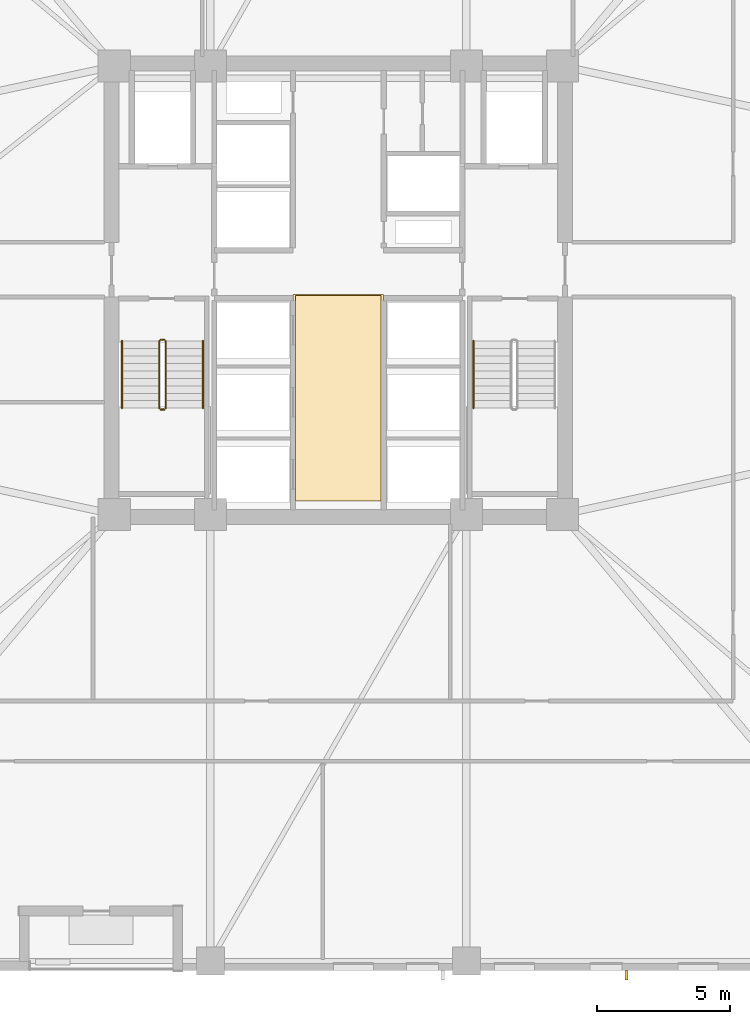
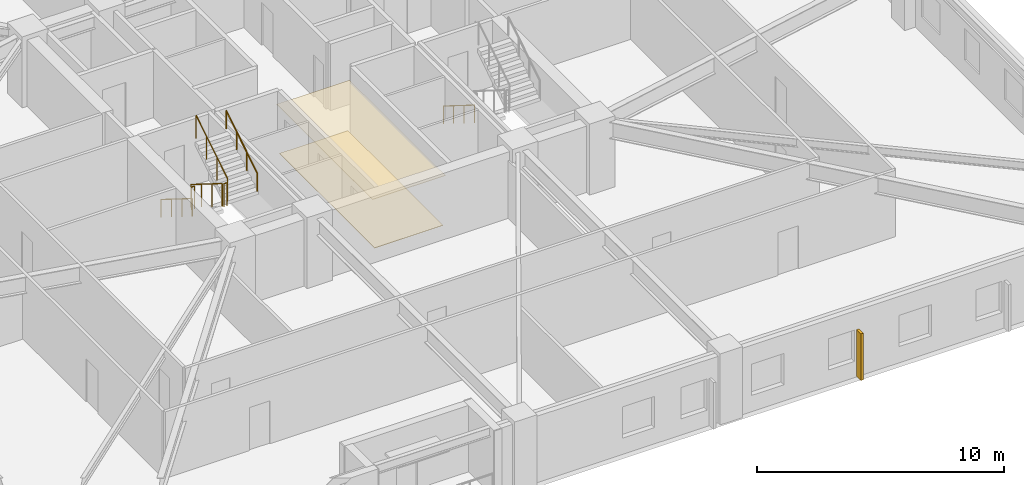
# One storey, part 7 of 10: 7 railings, 2 coverings, 1 shading device.
"""IFC4 building model written with IfcOpenShell, lengths in metres."""

from ifc_helpers import new_model, si_unit, direction, frame, origin, origin_2d, place, context, subcontext, project, spatial, polyline, rectangle, circle, outline, extrude, material, layer, layer_set, type_object, element, save


model = new_model("IFC4")

# Units and contexts
model_context = context("Model", 3, precision=1e-05, world=origin(), true_north=direction((0.0, 1.0)))
body_context = subcontext(model_context, "Body", "Model", "MODEL_VIEW")
ifc_project = project(units=[si_unit("LENGTHUNIT", "METRE"), si_unit("AREAUNIT", "SQUARE_METRE"), si_unit("VOLUMEUNIT", "CUBIC_METRE"), si_unit("PLANEANGLEUNIT", "RADIAN"), si_unit("MASSUNIT", "GRAM", prefix="KILO")], contexts=[model_context])

# Site, building, storey
site_placement = place(None, origin())
site = spatial("IfcSite", under=ifc_project, at=site_placement, CompositionType="ELEMENT")
building_placement = place(site_placement, origin())
building = spatial("IfcBuilding", under=site, at=building_placement, Name="Cairnveth Concourse Tower", CompositionType="ELEMENT")
storey_placement = place(building_placement, frame((0.0, 0.0, 27.0)))
storey = spatial("IfcBuildingStorey", under=building, at=storey_placement, Name="L06", CompositionType="ELEMENT", Elevation=27.0)

# Covering
ifc_material_1 = material(Name="Acoustic Mineral Fibre Ceiling", Category="gypsum")
ifc_layer_1 = layer(ifc_material_1, 0.02490234375)
ifc_layer_set_1 = layer_set([ifc_layer_1], Name="Acoustic Mineral Fibre Ceiling")
covering_type_1 = type_object("IfcCoveringType", Name="ACOUSTIC MINERAL FIBRE CEILING 25", PredefinedType="CEILING", material=ifc_layer_set_1)
covering_1_placement = place(storey_placement, frame((0.0, 0.0, 2.424072265625)))
element("IfcCovering", 1, at=covering_1_placement, inside=storey, type_object=covering_type_1, Name="Lift Lobby Acoustic Ceiling L06", PredefinedType="CEILING", context=body_context, shape_type="SweptSolid", body=[
    extrude(outline(polyline([(50.300048828125, 31.10009765625), (53.699951171875, 31.10009765625), (53.699951171875, 38.85009765625), (50.300048828125, 38.85009765625), (50.300048828125, 31.10009765625)])), origin(), (0.0, 0.0, 1.0), 0.02490234375),
])

# Shading device
ifc_material_2 = material(Name="Architectural Bronze Anodised Aluminium 6063-T6", Category="aluminium")
shading_device_type = type_object("IfcShadingDeviceType", Name="GOTHIC BRONZE VERTICAL LANCET FIN", PredefinedType="USERDEFINED", material=ifc_material_2)
shading_device_placement = place(storey_placement, frame((62.80078125, 13.324951171875, 0.02978515625), z_axis=(0.0, 0.0, 1.0), x_axis=(1.0, 0.0, 0.0)))
element("IfcShadingDevice", 2, at=shading_device_placement, inside=storey, type_object=shading_device_type, Name="Gothic Bronze Vertical Fin L06-12-3", ObjectType="VERTICAL FIN", PredefinedType="USERDEFINED", context=body_context, shape_type="SweptSolid", body=[
    extrude(rectangle(XDim=0.1201171875, YDim=0.360107421875, at=origin_2d()), origin(), (0.0, 0.0, 1.0), 2.303955078125),
])

# Railings
ifc_material_3 = material(Name="Steel Grade 350", Category="steel")
railing_type_1 = type_object("IfcRailingType", Name="STAIR GUARDRAIL 1150", PredefinedType="GUARDRAIL", material=ifc_material_3)
railing_1_placement = place(storey_placement, frame((45.2900390625, 37.10009765625, 0.175048828125)))
element("IfcRailing", 3, at=railing_1_placement, inside=storey, type_object=railing_type_1, Name="L06 ST-1 stair guard 1", PredefinedType="GUARDRAIL", context=body_context, shape_type="SweptSolid", body=[
    extrude(circle(Radius=0.02392578125, at=origin_2d()), frame((0.0, 0.0, 1.1259765625), z_axis=(0.0, -0.848007534815, 0.529984170421), x_axis=(1.0, 0.0, 0.0)), (0.0, 0.0, 1.0), 2.9716796875),
    extrude(circle(Radius=0.02099609375, at=origin_2d()), origin(), (0.0, 0.0, 1.0), 1.101806640625),
    extrude(circle(Radius=0.02099609375, at=origin_2d()), frame((0.0, -0.840087890625, 0.52490234375)), (0.0, 0.0, 1.0), 1.101806640625),
    extrude(circle(Radius=0.02099609375, at=origin_2d()), frame((0.0, -1.679931640625, 1.050048828125)), (0.0, 0.0, 1.0), 1.101806640625),
    extrude(circle(Radius=0.02099609375, at=origin_2d()), frame((0.0, -2.52001953125, 1.574951171875)), (0.0, 0.0, 1.0), 1.101806640625),
])
railing_2_placement = place(storey_placement, frame((45.340087890625, 34.530029296875, 1.75)))
element("IfcRailing", 4, at=railing_2_placement, inside=storey, type_object=railing_type_1, Name="L06 ST-1 stair guard 2", PredefinedType="GUARDRAIL", context=body_context, shape_type="SweptSolid", body=[
    extrude(circle(Radius=0.02392578125, at=origin_2d()), frame((0.0, 0.0, 1.1259765625), z_axis=(1.0, 0.0, 0.0), x_axis=(0.0, 1.0, 0.0)), (0.0, 0.0, 1.0), 0.139892578125),
    extrude(circle(Radius=0.02099609375, at=origin_2d()), origin(), (0.0, 0.0, 1.0), 1.101806640625),
    extrude(circle(Radius=0.02099609375, at=origin_2d()), frame((0.139892578125, 0.0, 0.0)), (0.0, 0.0, 1.0), 1.101806640625),
])
railing_3_placement = place(storey_placement, frame((45.530029296875, 34.580078125, 1.925048828125)))
element("IfcRailing", 5, at=railing_3_placement, inside=storey, type_object=railing_type_1, Name="L06 ST-1 stair guard 3", PredefinedType="GUARDRAIL", context=body_context, shape_type="SweptSolid", body=[
    extrude(circle(Radius=0.02392578125, at=origin_2d()), frame((0.0, 0.0, 1.1259765625), z_axis=(0.0, 0.848007534815, 0.529984170421), x_axis=(-1.0, 0.0, 0.0)), (0.0, 0.0, 1.0), 2.9716796875),
    extrude(circle(Radius=0.02099609375, at=origin_2d()), origin(), (0.0, 0.0, 1.0), 1.101806640625),
    extrude(circle(Radius=0.02099609375, at=origin_2d()), frame((0.0, 0.840087890625, 0.52490234375)), (0.0, 0.0, 1.0), 1.101806640625),
    extrude(circle(Radius=0.02099609375, at=origin_2d()), frame((0.0, 1.679931640625, 1.050048828125)), (0.0, 0.0, 1.0), 1.101806640625),
    extrude(circle(Radius=0.02099609375, at=origin_2d()), frame((0.0, 2.52001953125, 1.574951171875)), (0.0, 0.0, 1.0), 1.101806640625),
])
railing_4_placement = place(storey_placement, frame((45.340087890625, 37.14990234375, 0.0)))
element("IfcRailing", 6, at=railing_4_placement, inside=storey, type_object=railing_type_1, Name="L06 ST-1 stair guard 4", PredefinedType="GUARDRAIL", context=body_context, shape_type="SweptSolid", body=[
    extrude(circle(Radius=0.02392578125, at=origin_2d()), frame((0.0, 0.0, 1.1259765625), z_axis=(1.0, 0.0, 0.0), x_axis=(0.0, 1.0, 0.0)), (0.0, 0.0, 1.0), 0.139892578125),
    extrude(circle(Radius=0.02099609375, at=origin_2d()), origin(), (0.0, 0.0, 1.0), 1.101806640625),
    extrude(circle(Radius=0.02099609375, at=origin_2d()), frame((0.139892578125, 0.0, 0.0)), (0.0, 0.0, 1.0), 1.101806640625),
])
railing_type_2 = type_object("IfcRailingType", Name="STAIR WALL HANDRAIL 900", PredefinedType="HANDRAIL", material=ifc_material_3)
railing_5_placement = place(storey_placement, frame((43.889892578125, 37.10009765625, 0.175048828125)))
element("IfcRailing", 7, at=railing_5_placement, inside=storey, type_object=railing_type_2, Name="L06 ST-1 stair handrail 1", PredefinedType="HANDRAIL", context=body_context, shape_type="SweptSolid", body=[
    extrude(circle(Radius=0.02392578125, at=origin_2d()), frame((0.0, 0.0, 0.8759765625), z_axis=(0.0, -0.848007534815, 0.529984170421), x_axis=(1.0, 0.0, 0.0)), (0.0, 0.0, 1.0), 2.9716796875),
    extrude(circle(Radius=0.02099609375, at=origin_2d()), origin(), (0.0, 0.0, 1.0), 0.851806640625),
    extrude(circle(Radius=0.02099609375, at=origin_2d()), frame((0.0, -0.840087890625, 0.52490234375)), (0.0, 0.0, 1.0), 0.851806640625),
    extrude(circle(Radius=0.02099609375, at=origin_2d()), frame((0.0, -1.679931640625, 1.050048828125)), (0.0, 0.0, 1.0), 0.851806640625),
    extrude(circle(Radius=0.02099609375, at=origin_2d()), frame((0.0, -2.52001953125, 1.574951171875)), (0.0, 0.0, 1.0), 0.851806640625),
])
railing_6_placement = place(storey_placement, frame((46.929931640625, 34.580078125, 1.925048828125)))
element("IfcRailing", 8, at=railing_6_placement, inside=storey, type_object=railing_type_2, Name="L06 ST-1 stair handrail 2", PredefinedType="HANDRAIL", context=body_context, shape_type="SweptSolid", body=[
    extrude(circle(Radius=0.02392578125, at=origin_2d()), frame((0.0, 0.0, 0.8759765625), z_axis=(0.0, 0.848007534815, 0.529984170421), x_axis=(-1.0, 0.0, 0.0)), (0.0, 0.0, 1.0), 2.9716796875),
    extrude(circle(Radius=0.02099609375, at=origin_2d()), origin(), (0.0, 0.0, 1.0), 0.851806640625),
    extrude(circle(Radius=0.02099609375, at=origin_2d()), frame((0.0, 0.840087890625, 0.52490234375)), (0.0, 0.0, 1.0), 0.851806640625),
    extrude(circle(Radius=0.02099609375, at=origin_2d()), frame((0.0, 1.679931640625, 1.050048828125)), (0.0, 0.0, 1.0), 0.851806640625),
    extrude(circle(Radius=0.02099609375, at=origin_2d()), frame((0.0, 2.52001953125, 1.574951171875)), (0.0, 0.0, 1.0), 0.851806640625),
])
railing_7_placement = place(storey_placement, frame((57.070068359375, 37.10009765625, 0.175048828125)))
element("IfcRailing", 9, at=railing_7_placement, inside=storey, type_object=railing_type_2, Name="L06 ST-2 stair handrail 1", PredefinedType="HANDRAIL", context=body_context, shape_type="SweptSolid", body=[
    extrude(circle(Radius=0.02392578125, at=origin_2d()), frame((0.0, 0.0, 0.8759765625), z_axis=(0.0, -0.848007534815, 0.529984170421), x_axis=(1.0, 0.0, 0.0)), (0.0, 0.0, 1.0), 2.9716796875),
    extrude(circle(Radius=0.02099609375, at=origin_2d()), origin(), (0.0, 0.0, 1.0), 0.851806640625),
    extrude(circle(Radius=0.02099609375, at=origin_2d()), frame((0.0, -0.840087890625, 0.52490234375)), (0.0, 0.0, 1.0), 0.851806640625),
    extrude(circle(Radius=0.02099609375, at=origin_2d()), frame((0.0, -1.679931640625, 1.050048828125)), (0.0, 0.0, 1.0), 0.851806640625),
    extrude(circle(Radius=0.02099609375, at=origin_2d()), frame((0.0, -2.52001953125, 1.574951171875)), (0.0, 0.0, 1.0), 0.851806640625),
])

# Covering
ifc_material_4 = material(Name="Vitrified Stoneware Tile Flooring", Category="masonry")
ifc_layer_2 = layer(ifc_material_4, 0.02001953125)
ifc_layer_set_2 = layer_set([ifc_layer_2], Name="Vitrified Stoneware Tile Flooring")
covering_type_2 = type_object("IfcCoveringType", Name="VITRIFIED STONEWARE LOBBY FLOORING 20", PredefinedType="FLOORING", material=ifc_layer_set_2)
covering_2_placement = place(storey_placement, origin())
element("IfcCovering", 10, at=covering_2_placement, inside=storey, type_object=covering_type_2, Name="Lift Lobby Stoneware Flooring L06", PredefinedType="FLOORING", context=body_context, shape_type="SweptSolid", body=[
    extrude(outline(polyline([(50.39990234375, 31.10009765625), (53.60009765625, 31.10009765625), (53.60009765625, 38.800048828125), (50.39990234375, 38.800048828125), (50.39990234375, 31.10009765625)])), origin(), (0.0, 0.0, 1.0), 0.02001953125),
])

save(model, "model.ifc")
